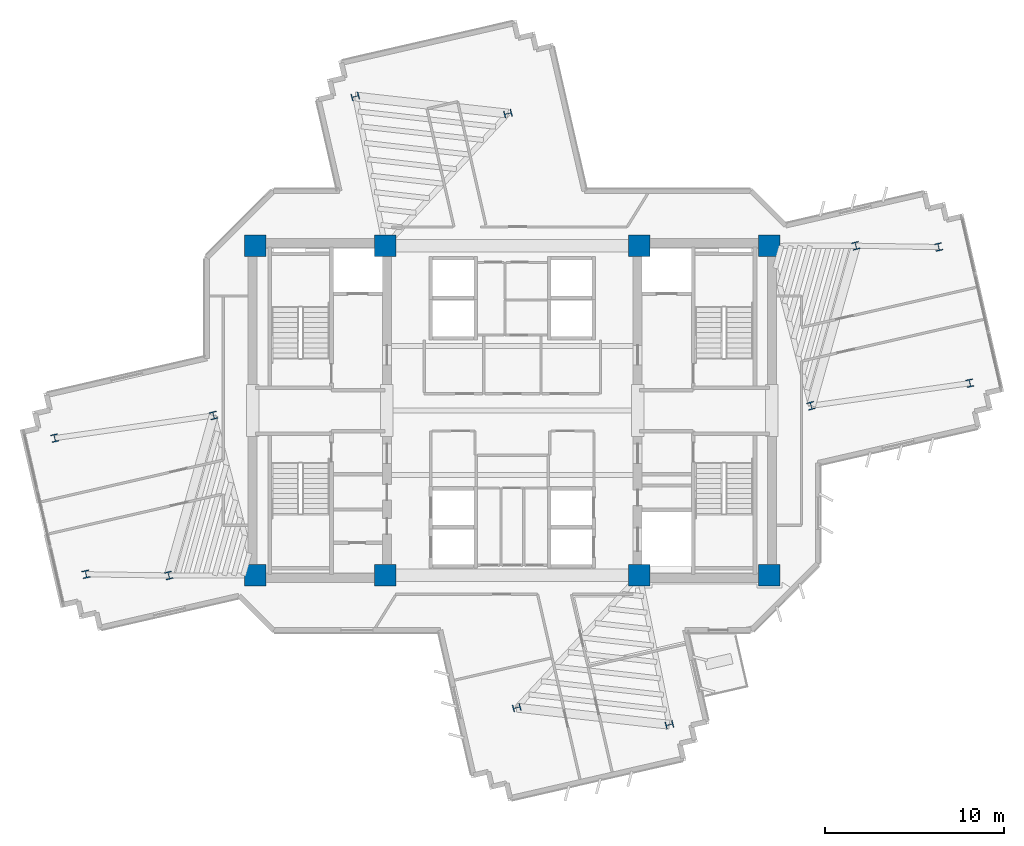
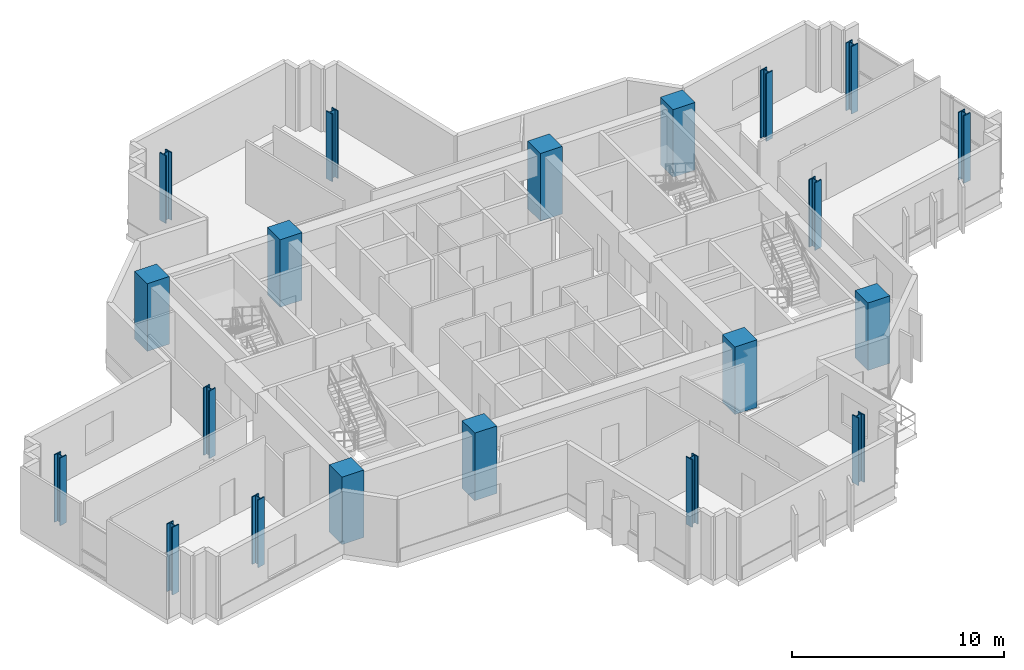
# One storey, part 1 of 13: 20 columns.
"""IFC4 building model written with IfcOpenShell, lengths in metres."""

import ifcopenshell
import ifcopenshell.guid

model = None  # the IFC model being written
_history = None  # IfcOwnerHistory: only IFC2X3 demands one
_inside = {}  # id of a spatial element -> (the spatial element, [elements in it])
_under = {}  # id of a project, library or spatial element -> (it, [spatial elements below it])
_declared = {}  # id of a project -> (the project, [libraries it declares])
_typed = {}  # id of a type object -> (the type object, [elements of that type])
_made_of = {}  # id of a material, layer set ... -> (it, [elements and type objects made of it])


def new_model(schema):
    """Start an empty IFC model of exactly this schema.

    Asked for "IFC4X3", IfcOpenShell would pick the latest addendum, in which some entities
    have other attributes; the version numbers below select the first issue.
    IFC2X3 requires an IfcOwnerHistory on every rooted entity: one is made here for all.
    """
    global model, _history
    if schema == "IFC4X3":
        model = ifcopenshell.file(schema_version=(4, 3, 0, 0))
    else:
        model = ifcopenshell.file(schema=schema)
    _inside.clear()
    _under.clear()
    _declared.clear()
    _typed.clear()
    _made_of.clear()
    _history = None
    if model.schema == "IFC2X3":
        org = make("IfcOrganization", Name="unknown")
        user = make(
            "IfcPersonAndOrganization",
            ThePerson=make("IfcPerson", FamilyName="unknown"),
            TheOrganization=org,
        )
        app = make(
            "IfcApplication",
            ApplicationDeveloper=org,
            Version="unknown",
            ApplicationFullName="unknown",
            ApplicationIdentifier="unknown",
        )
        _history = make(
            "IfcOwnerHistory",
            OwningUser=user,
            OwningApplication=app,
            ChangeAction="ADDED",
            CreationDate=0,
        )
    return model


def make(cls, **values):
    """One entity of the class cls with the attributes given. An attribute that is None is left unset."""
    return model.create_entity(
        cls, **{name: value for name, value in values.items() if value is not None}
    )


def rooted(cls, **values):
    """An entity with a GlobalId (a new one), such as an element, a storey or a relation."""
    return make(cls, GlobalId=ifcopenshell.guid.new(), OwnerHistory=_history, **values)


def si_unit(unit_type, name, prefix=None):
    """IfcSIUnit, for example si_unit("LENGTHUNIT", "METRE", prefix="MILLI")."""
    return make("IfcSIUnit", UnitType=unit_type, Prefix=prefix, Name=name)


def assignment(units):
    """IfcUnitAssignment: the units of a project."""
    return None if units is None else make("IfcUnitAssignment", Units=units)


def point(xyz):
    """IfcCartesianPoint."""
    return None if xyz is None else make("IfcCartesianPoint", Coordinates=xyz)


def direction(xyz):
    """IfcDirection."""
    return None if xyz is None else make("IfcDirection", DirectionRatios=xyz)


def frame(location, z_axis=None, x_axis=None):
    """IfcAxis2Placement3D, a coordinate frame: its origin and axes. An axis left out is left unset."""
    return make(
        "IfcAxis2Placement3D",
        Location=point(location),
        Axis=direction(z_axis),
        RefDirection=direction(x_axis),
    )


def frame_2d(location, x_axis=None):
    """IfcAxis2Placement2D, a coordinate frame in the plane: its origin and x axis."""
    return make(
        "IfcAxis2Placement2D", Location=point(location), RefDirection=direction(x_axis)
    )


def origin():
    """The frame at (0, 0, 0) with its axes left unset."""
    return frame((0.0, 0.0, 0.0))


def origin_2d():
    """The frame at (0, 0) in the plane with its x axis left unset."""
    return frame_2d((0.0, 0.0))


def place(relative_to, where):
    """IfcLocalPlacement: puts the frame where relative to a parent placement (None: the world)."""
    return make(
        "IfcLocalPlacement", PlacementRelTo=relative_to, RelativePlacement=where
    )


def context(
    kind, dimensions, precision=None, world=None, true_north=None, identifier=None
):
    """IfcGeometricRepresentationContext, for example the 3D "Model" context."""
    return make(
        "IfcGeometricRepresentationContext",
        ContextIdentifier=identifier,
        ContextType=kind,
        CoordinateSpaceDimension=dimensions,
        Precision=precision,
        WorldCoordinateSystem=world,
        TrueNorth=true_north,
    )


def subcontext(parent, identifier, kind, view, scale=None):
    """IfcGeometricRepresentationSubContext, for example "Body" below "Model"."""
    return make(
        "IfcGeometricRepresentationSubContext",
        ContextIdentifier=identifier,
        ContextType=kind,
        ParentContext=parent,
        TargetScale=scale,
        TargetView=view,
    )


def project(units=None, contexts=None):
    """IfcProject with its units and contexts."""
    return rooted(
        "IfcProject",
        Name="project",
        RepresentationContexts=contexts,
        UnitsInContext=assignment(units),
    )


def spatial(cls, under=None, at=None, **own):
    """A site, building, storey or space (cls), placed at a placement, below another one or the project."""
    s = rooted(cls, ObjectPlacement=at, **own)
    if under is not None:
        _under.setdefault(under.id(), (under, []))[1].append(s)
    return s


def profile(cls, at=None, kind="AREA", **sizes):
    """A parametric profile (cls). Its sizes go by their IFC names, for example OverallWidth=200.0."""
    return make(cls, ProfileType=kind, Position=at, **sizes)


def rectangle(**sizes):
    """IfcRectangleProfileDef."""
    return profile("IfcRectangleProfileDef", **sizes)


def i_section(**sizes):
    """IfcIShapeProfileDef."""
    return profile("IfcIShapeProfileDef", **sizes)


def extrude(swept, where, along, depth):
    """IfcExtrudedAreaSolid: the profile swept, set in the frame where, extruded along a direction by depth."""
    return make(
        "IfcExtrudedAreaSolid",
        SweptArea=swept,
        Position=where,
        ExtrudedDirection=direction(along),
        Depth=depth,
    )


def shape(context_of_items, identifier, shape_type, items):
    """IfcShapeRepresentation: the items that make up one representation, for example the "Body"."""
    return make(
        "IfcShapeRepresentation",
        ContextOfItems=context_of_items,
        RepresentationIdentifier=identifier,
        RepresentationType=shape_type,
        Items=items,
    )


def source(mapping_origin, context_of_items, identifier, shape_type, items):
    """IfcRepresentationMap: a shape defined once, which mapped items show again and again."""
    return make(
        "IfcRepresentationMap",
        MappingOrigin=mapping_origin,
        MappedRepresentation=shape(context_of_items, identifier, shape_type, items),
    )


def transform(
    local_origin,
    x_axis=None,
    y_axis=None,
    z_axis=None,
    scale=None,
    scale2=None,
    scale3=None,
    uniform=True,
):
    """IfcCartesianTransformationOperator3D, or its non-uniform kind. x_axis, y_axis, z_axis: its Axis1, 2, 3."""
    if uniform:
        return make(
            "IfcCartesianTransformationOperator3D",
            Axis1=direction(x_axis),
            Axis2=direction(y_axis),
            LocalOrigin=point(local_origin),
            Scale=scale,
            Axis3=direction(z_axis),
        )
    return make(
        "IfcCartesianTransformationOperator3DnonUniform",
        Axis1=direction(x_axis),
        Axis2=direction(y_axis),
        LocalOrigin=point(local_origin),
        Scale=scale,
        Axis3=direction(z_axis),
        Scale2=scale2,
        Scale3=scale3,
    )


def mapped(mapping_source, mapping_target):
    """IfcMappedItem: shows the shape of a source again, moved by a transform."""
    return make(
        "IfcMappedItem", MappingSource=mapping_source, MappingTarget=mapping_target
    )


def material(Name=None, Category=None):
    """IfcMaterial."""
    return make("IfcMaterial", Name=Name, Category=Category)


def material_profile(
    of_material, cross_section, Name=None, Category=None, Priority=None
):
    """IfcMaterialProfile: a cross section and its material."""
    return make(
        "IfcMaterialProfile",
        Name=Name,
        Material=of_material,
        Profile=cross_section,
        Priority=Priority,
        Category=Category,
    )


def profile_set(profiles, Name=None, composite=None):
    """IfcMaterialProfileSet."""
    return make(
        "IfcMaterialProfileSet",
        Name=Name,
        MaterialProfiles=profiles,
        CompositeProfile=composite,
    )


def made_of(thing, what):
    """Note that an element or type object is made of a material, layer set ...; save() writes the relation."""
    if what is not None:
        _made_of.setdefault(what.id(), (what, []))[1].append(thing)
    return thing


def type_object(cls, material=None, **own):
    """A type object (cls), such as IfcWallType, which elements share."""
    return made_of(rooted(cls, **own), material)


def element(
    cls,
    number,
    at=None,
    inside=None,
    cuts=None,
    type_object=None,
    material=None,
    context=None,
    identifier="Body",
    shape_type=None,
    held_by="IfcProductDefinitionShape",
    body=None,
    shapes=None,
    **own,
):
    """One element of the class cls, such as IfcWall. Its Tag is "e" and its number.

    at: its placement. inside: the storey or other place that contains it. cuts: it is an
    opening in that element (IfcRelVoidsElement). A single representation is given by context,
    identifier, shape_type and body (its items); several are given by shapes. held_by: the class
    of the entity that holds the representations. save() writes the other relations.
    """
    e = rooted(cls, Tag="e%d" % number, ObjectPlacement=at, **own)
    if body is not None:
        shapes = [shape(context, identifier, shape_type, body)]
    if shapes is not None:
        e.Representation = make(held_by, Representations=shapes)
    if inside is not None:
        _inside.setdefault(inside.id(), (inside, []))[1].append(e)
    if cuts is not None:
        rooted(
            "IfcRelVoidsElement", RelatingBuildingElement=cuts, RelatedOpeningElement=e
        )
    if type_object is not None:
        _typed.setdefault(type_object.id(), (type_object, []))[1].append(e)
    return made_of(e, material)


def aggregate(whole, parts):
    """IfcRelAggregates: a whole, such as a stair, and the parts it consists of."""
    return rooted("IfcRelAggregates", RelatingObject=whole, RelatedObjects=parts)


def save(model, path):
    """Write the relations noted so far, then the file.

    IfcRelAggregates (storeys below a building ...), IfcRelContainedInSpatialStructure (elements
    in a storey), IfcRelDefinesByType, IfcRelAssociatesMaterial and IfcRelDeclares: one each for
    every whole, place, type object, material and project.
    """
    for whole, parts in _under.values():
        aggregate(whole, parts)
    for where, things in _inside.values():
        rooted(
            "IfcRelContainedInSpatialStructure",
            RelatedElements=things,
            RelatingStructure=where,
        )
    for kind, things in _typed.values():
        rooted("IfcRelDefinesByType", RelatedObjects=things, RelatingType=kind)
    for what, things in _made_of.values():
        rooted("IfcRelAssociatesMaterial", RelatedObjects=things, RelatingMaterial=what)
    for by, libraries in _declared.values():
        rooted("IfcRelDeclares", RelatingContext=by, RelatedDefinitions=libraries)
    model.write(path)


model = new_model("IFC4")

# Units and contexts
model_context = context("Model", 3, precision=1e-05, world=origin(), true_north=direction((0.0, 1.0)))
body_context = subcontext(model_context, "Body", "Model", "MODEL_VIEW")
ifc_project = project(units=[si_unit("LENGTHUNIT", "METRE"), si_unit("AREAUNIT", "SQUARE_METRE"), si_unit("VOLUMEUNIT", "CUBIC_METRE"), si_unit("PLANEANGLEUNIT", "RADIAN"), si_unit("MASSUNIT", "GRAM", prefix="KILO")], contexts=[model_context])

# Site, building, storey
site_placement = place(None, origin())
site = spatial("IfcSite", under=ifc_project, at=site_placement, CompositionType="ELEMENT")
building_placement = place(site_placement, origin())
building = spatial("IfcBuilding", under=site, at=building_placement, Name="Zahravan Cultural Tower", CompositionType="ELEMENT")
storey_placement = place(building_placement, frame((0.0, 0.0, 174.60009765625)))
storey = spatial("IfcBuildingStorey", under=building, at=storey_placement, Name="L40", CompositionType="ELEMENT", Elevation=174.60009765625)

# Columns
ifc_material_1 = material(Name="Concrete C50/60", Category="concrete")
ifc_material_profile_1 = material_profile(ifc_material_1, rectangle(XDim=1.199951171875, YDim=1.199951171875, at=origin_2d()), Name="RC1200X1200")
ifc_profile_set_1 = profile_set([ifc_material_profile_1], Name="Concrete C50/60")
column_type_1 = type_object("IfcColumnType", Name="COL-RC1200", PredefinedType="COLUMN", material=ifc_profile_set_1)
shared_shape_1 = source(origin(), body_context, "Body", "SweptSolid", [
    extrude(rectangle(XDim=1.199951171875, YDim=1.199951171875, at=origin_2d()), origin(), (0.0, 0.0, 1.0), 3.89990234375),
])
for number, where, z_axis, x_axis, name in (
    (1, (21.64990234375, 17.800048828125, 0.0), (0.0, 0.0, 1.0), (1.0, 0.0, 0.0), "L40 Column CC-W1"),
    (2, (28.89990234375, 17.800048828125, 0.0), (0.0, 0.0, 1.0), (1.0, 0.0, 0.0), "L40 Column CC-W2"),
    (3, (21.64990234375, 36.199951171875, 0.0), (0.0, 0.0, 1.0), (1.0, 0.0, 0.0), "L40 Column CC-W3"),
    (4, (28.89990234375, 36.199951171875, 0.0), (0.0, 0.0, 1.0), (1.0, 0.0, 0.0), "L40 Column CC-W4"),
    (5, (43.10009765625, 17.800048828125, 0.0), (0.0, 0.0, 1.0), (1.0, 0.0, 0.0), "L40 Column CC-E1"),
    (6, (50.35009765625, 17.800048828125, 0.0), (0.0, 0.0, 1.0), (1.0, 0.0, 0.0), "L40 Column CC-E2"),
    (7, (43.10009765625, 36.199951171875, 0.0), (0.0, 0.0, 1.0), (1.0, 0.0, 0.0), "L40 Column CC-E3"),
    (8, (50.35009765625, 36.199951171875, 0.0), (0.0, 0.0, 1.0), (1.0, 0.0, 0.0), "L40 Column CC-E4"),
):
    element("IfcColumn", number, at=place(storey_placement, frame(where, z_axis=z_axis, x_axis=x_axis)), inside=storey, type_object=column_type_1, Name=name, PredefinedType="COLUMN", context=body_context, shape_type="MappedRepresentation", body=[
        mapped(shared_shape_1, transform((0.0, 0.0, 0.0), x_axis=(1.0, 0.0, 0.0), y_axis=(0.0, 1.0, 0.0), z_axis=(0.0, 0.0, 1.0), scale=1.0)),
    ])
ifc_material_2 = material(Name="Steel ASTM A992 Grade 50", Category="steel")
ifc_material_profile_2 = material_profile(ifc_material_2, i_section(OverallWidth=0.412109375, OverallDepth=0.43505859375, WebThickness=0.035888671875, FlangeThickness=0.057373046875, FilletRadius=0.01806640625, at=origin_2d()), Name="W14X311")
ifc_profile_set_2 = profile_set([ifc_material_profile_2], Name="Steel ASTM A992 Grade 50")
column_type_2 = type_object("IfcColumnType", Name="COL-W14X311", PredefinedType="COLUMN", material=ifc_profile_set_2)
shared_shape_2 = source(origin(), body_context, "Body", "SweptSolid", [
    extrude(i_section(OverallWidth=0.412109375, OverallDepth=0.43505859375, WebThickness=0.035888671875, FlangeThickness=0.057373046875, FilletRadius=0.01806640625, at=origin_2d()), origin(), (0.0, 0.0, 1.0), 3.89990234375),
])
for number, where, z_axis, x_axis, name in (
    (9, (52.684326171875, 27.27099609375, 0.0), (0.0, 0.0, 1.0), (0.966823388604, 0.255445757936, 0.0), "L40 Column Z2C-E1"),
    (10, (55.184814453125, 36.2060546875, 0.0), (0.0, 0.0, 1.0), (0.966823388604, 0.255445757936, 0.0), "L40 Column Z2C-E2"),
    (11, (35.754638671875, 43.587646484375, 0.0), (0.0, 0.0, 1.0), (-0.255445757936, 0.966823388604, 0.0), "L40 Column Z2C-N1"),
    (12, (27.22802734375, 44.541259765625, 0.0), (0.0, 0.0, 1.0), (-0.255445757936, 0.966823388604, 0.0), "L40 Column Z2C-N2"),
    (13, (19.315673828125, 26.72900390625, 0.0), (0.0, 0.0, 1.0), (0.966823388604, 0.255445757936, 0.0), "L40 Column Z2C-W1"),
    (14, (16.815185546875, 17.7939453125, 0.0), (0.0, 0.0, 1.0), (0.966823388604, 0.255445757936, 0.0), "L40 Column Z2C-W2"),
    (15, (36.245361328125, 10.412353515625, 0.0), (0.0, 0.0, 1.0), (-0.255445757936, 0.966823388604, 0.0), "L40 Column Z2C-S1"),
    (16, (44.77197265625, 9.458740234375, 0.0), (0.0, 0.0, 1.0), (-0.255445757936, 0.966823388604, 0.0), "L40 Column Z2C-S2"),
    (17, (61.552734375, 28.53466796875, 0.0), (0.0, 0.0, 1.0), (0.977415894286, 0.211324796455, 0.0), "L40 Column Z2T-E1"),
    (18, (59.806640625, 36.13720703125, 0.0), (0.0, 0.0, 1.0), (0.977415894286, 0.211324796455, 0.0), "L40 Column Z2T-E2"),
    (19, (10.447265625, 25.46533203125, 0.0), (0.0, 0.0, 1.0), (0.977415894286, 0.211324796455, 0.0), "L40 Column Z2T-W1"),
    (20, (12.193359375, 17.86279296875, 0.0), (0.0, 0.0, 1.0), (0.977415894286, 0.211324796455, 0.0), "L40 Column Z2T-W2"),
):
    element("IfcColumn", number, at=place(storey_placement, frame(where, z_axis=z_axis, x_axis=x_axis)), inside=storey, type_object=column_type_2, Name=name, PredefinedType="COLUMN", context=body_context, shape_type="MappedRepresentation", body=[
        mapped(shared_shape_2, transform((0.0, 0.0, 0.0), x_axis=(1.0, 0.0, 0.0), y_axis=(0.0, 1.0, 0.0), z_axis=(0.0, 0.0, 1.0), scale=1.0)),
    ])

save(model, "model.ifc")
